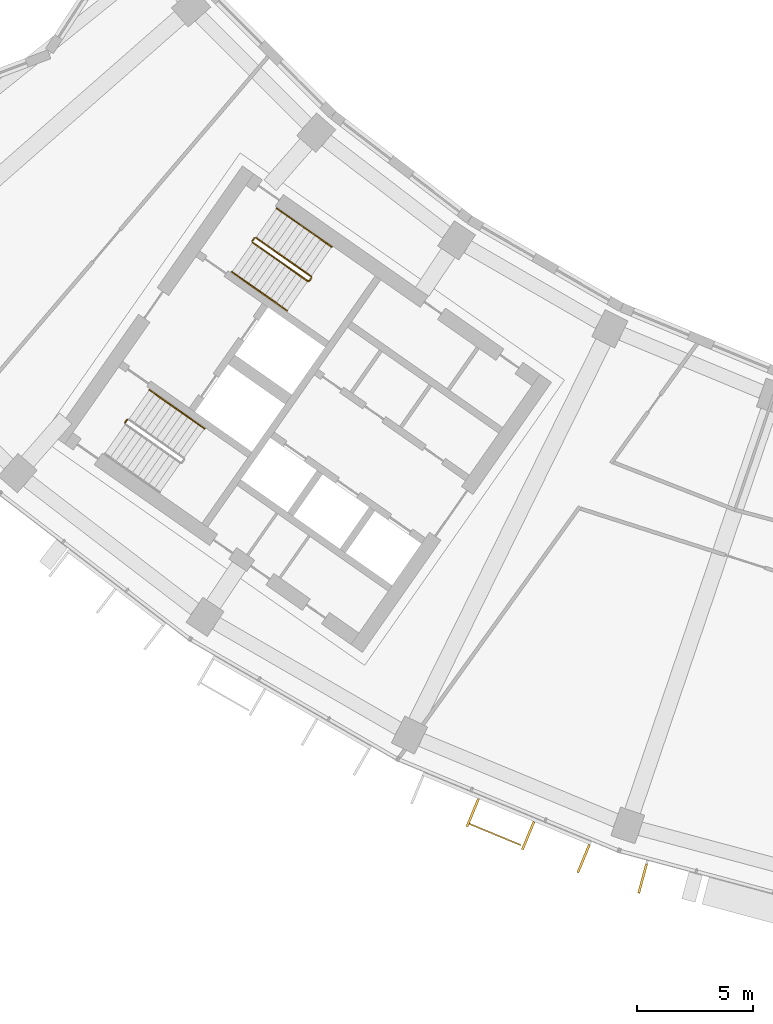
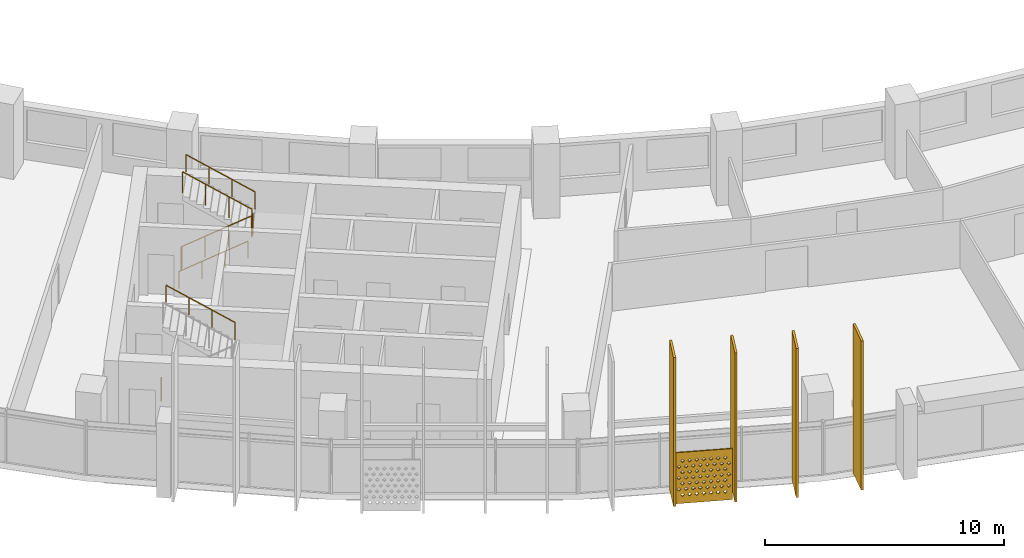
# One storey, part 24 of 27: 7 railings, 5 shading devices.
"""IFC4 building model written with IfcOpenShell, lengths in metres."""

from ifc_helpers import new_model, si_unit, direction, frame, origin, origin_2d, place, context, subcontext, project, spatial, polyline, rectangle, circle, outline, extrude, material, material_profile, profile_set, type_object, element, save


model = new_model("IFC4")

# Units and contexts
model_context = context("Model", 3, precision=1e-05, world=origin(), true_north=direction((0.0, 1.0)))
body_context = subcontext(model_context, "Body", "Model", "MODEL_VIEW")
ifc_project = project(units=[si_unit("LENGTHUNIT", "METRE"), si_unit("AREAUNIT", "SQUARE_METRE"), si_unit("VOLUMEUNIT", "CUBIC_METRE"), si_unit("PLANEANGLEUNIT", "RADIAN"), si_unit("MASSUNIT", "GRAM", prefix="KILO")], contexts=[model_context])

# Site, building, storey
site_placement = place(None, origin())
site = spatial("IfcSite", under=ifc_project, at=site_placement, CompositionType="ELEMENT")
building_placement = place(site_placement, origin())
building = spatial("IfcBuilding", under=site, at=building_placement, Name="Qamariyya Broadcast Tower", CompositionType="ELEMENT")
storey_placement = place(building_placement, frame((0.0, 0.0, 187.300048828125)))
storey = spatial("IfcBuildingStorey", under=building, at=storey_placement, Name="L44", CompositionType="ELEMENT", Elevation=187.300048828125)

# Shading device
ifc_material_1 = material(Name="Perforated glazed terracotta", Category="masonry")
ifc_material_profile_1 = material_profile(ifc_material_1, outline(polyline([(-1.199951171875, -1.300048828125), (1.199951171875, -1.300048828125), (1.199951171875, 1.300048828125), (-1.199951171875, 1.300048828125), (-1.199951171875, -1.300048828125)]), holes=[polyline([(-0.81494140625, -0.86669921875), (-0.89990234375, -0.78173828125), (-0.985107421875, -0.86669921875), (-0.89990234375, -0.95166015625), (-0.81494140625, -0.86669921875)]), polyline([(-0.514892578125, -0.86669921875), (-0.60009765625, -0.78173828125), (-0.68505859375, -0.86669921875), (-0.60009765625, -0.95166015625), (-0.514892578125, -0.86669921875)]), polyline([(-0.215087890625, -0.86669921875), (-0.300048828125, -0.78173828125), (-0.385009765625, -0.86669921875), (-0.300048828125, -0.95166015625), (-0.215087890625, -0.86669921875)]), polyline([(0.0849609375, -0.86669921875), (0.0, -0.78173828125), (-0.0849609375, -0.86669921875), (0.0, -0.95166015625), (0.0849609375, -0.86669921875)]), polyline([(0.385009765625, -0.86669921875), (0.300048828125, -0.78173828125), (0.215087890625, -0.86669921875), (0.300048828125, -0.95166015625), (0.385009765625, -0.86669921875)]), polyline([(0.68505859375, -0.86669921875), (0.60009765625, -0.78173828125), (0.514892578125, -0.86669921875), (0.60009765625, -0.95166015625), (0.68505859375, -0.86669921875)]), polyline([(0.985107421875, -0.86669921875), (0.89990234375, -0.78173828125), (0.81494140625, -0.86669921875), (0.89990234375, -0.95166015625), (0.985107421875, -0.86669921875)]), polyline([(-0.965087890625, -0.577880859375), (-1.050048828125, -0.49267578125), (-1.135009765625, -0.577880859375), (-1.050048828125, -0.662841796875), (-0.965087890625, -0.577880859375)]), polyline([(-0.6650390625, -0.577880859375), (-0.75, -0.49267578125), (-0.8349609375, -0.577880859375), (-0.75, -0.662841796875), (-0.6650390625, -0.577880859375)]), polyline([(-0.364990234375, -0.577880859375), (-0.449951171875, -0.49267578125), (-0.534912109375, -0.577880859375), (-0.449951171875, -0.662841796875), (-0.364990234375, -0.577880859375)]), polyline([(-0.06494140625, -0.577880859375), (-0.14990234375, -0.49267578125), (-0.235107421875, -0.577880859375), (-0.14990234375, -0.662841796875), (-0.06494140625, -0.577880859375)]), polyline([(0.235107421875, -0.577880859375), (0.14990234375, -0.49267578125), (0.06494140625, -0.577880859375), (0.14990234375, -0.662841796875), (0.235107421875, -0.577880859375)]), polyline([(0.534912109375, -0.577880859375), (0.449951171875, -0.49267578125), (0.364990234375, -0.577880859375), (0.449951171875, -0.662841796875), (0.534912109375, -0.577880859375)]), polyline([(0.8349609375, -0.577880859375), (0.75, -0.49267578125), (0.6650390625, -0.577880859375), (0.75, -0.662841796875), (0.8349609375, -0.577880859375)]), polyline([(1.135009765625, -0.577880859375), (1.050048828125, -0.49267578125), (0.965087890625, -0.577880859375), (1.050048828125, -0.662841796875), (1.135009765625, -0.577880859375)]), polyline([(-0.81494140625, -0.288818359375), (-0.89990234375, -0.203857421875), (-0.985107421875, -0.288818359375), (-0.89990234375, -0.373779296875), (-0.81494140625, -0.288818359375)]), polyline([(-0.514892578125, -0.288818359375), (-0.60009765625, -0.203857421875), (-0.68505859375, -0.288818359375), (-0.60009765625, -0.373779296875), (-0.514892578125, -0.288818359375)]), polyline([(-0.215087890625, -0.288818359375), (-0.300048828125, -0.203857421875), (-0.385009765625, -0.288818359375), (-0.300048828125, -0.373779296875), (-0.215087890625, -0.288818359375)]), polyline([(0.0849609375, -0.288818359375), (0.0, -0.203857421875), (-0.0849609375, -0.288818359375), (0.0, -0.373779296875), (0.0849609375, -0.288818359375)]), polyline([(0.385009765625, -0.288818359375), (0.300048828125, -0.203857421875), (0.215087890625, -0.288818359375), (0.300048828125, -0.373779296875), (0.385009765625, -0.288818359375)]), polyline([(0.68505859375, -0.288818359375), (0.60009765625, -0.203857421875), (0.514892578125, -0.288818359375), (0.60009765625, -0.373779296875), (0.68505859375, -0.288818359375)]), polyline([(0.985107421875, -0.288818359375), (0.89990234375, -0.203857421875), (0.81494140625, -0.288818359375), (0.89990234375, -0.373779296875), (0.985107421875, -0.288818359375)]), polyline([(-0.965087890625, 0.0), (-1.050048828125, 0.0849609375), (-1.135009765625, 0.0), (-1.050048828125, -0.0849609375), (-0.965087890625, 0.0)]), polyline([(-0.6650390625, 0.0), (-0.75, 0.0849609375), (-0.8349609375, 0.0), (-0.75, -0.0849609375), (-0.6650390625, 0.0)]), polyline([(-0.364990234375, 0.0), (-0.449951171875, 0.0849609375), (-0.534912109375, 0.0), (-0.449951171875, -0.0849609375), (-0.364990234375, 0.0)]), polyline([(-0.06494140625, 0.0), (-0.14990234375, 0.0849609375), (-0.235107421875, 0.0), (-0.14990234375, -0.0849609375), (-0.06494140625, 0.0)]), polyline([(0.235107421875, 0.0), (0.14990234375, 0.0849609375), (0.06494140625, 0.0), (0.14990234375, -0.0849609375), (0.235107421875, 0.0)]), polyline([(0.534912109375, 0.0), (0.449951171875, 0.0849609375), (0.364990234375, 0.0), (0.449951171875, -0.0849609375), (0.534912109375, 0.0)]), polyline([(0.8349609375, 0.0), (0.75, 0.0849609375), (0.6650390625, 0.0), (0.75, -0.0849609375), (0.8349609375, 0.0)]), polyline([(1.135009765625, 0.0), (1.050048828125, 0.0849609375), (0.965087890625, 0.0), (1.050048828125, -0.0849609375), (1.135009765625, 0.0)]), polyline([(-0.81494140625, 0.288818359375), (-0.89990234375, 0.373779296875), (-0.985107421875, 0.288818359375), (-0.89990234375, 0.203857421875), (-0.81494140625, 0.288818359375)]), polyline([(-0.514892578125, 0.288818359375), (-0.60009765625, 0.373779296875), (-0.68505859375, 0.288818359375), (-0.60009765625, 0.203857421875), (-0.514892578125, 0.288818359375)]), polyline([(-0.215087890625, 0.288818359375), (-0.300048828125, 0.373779296875), (-0.385009765625, 0.288818359375), (-0.300048828125, 0.203857421875), (-0.215087890625, 0.288818359375)]), polyline([(0.0849609375, 0.288818359375), (0.0, 0.373779296875), (-0.0849609375, 0.288818359375), (0.0, 0.203857421875), (0.0849609375, 0.288818359375)]), polyline([(0.385009765625, 0.288818359375), (0.300048828125, 0.373779296875), (0.215087890625, 0.288818359375), (0.300048828125, 0.203857421875), (0.385009765625, 0.288818359375)]), polyline([(0.68505859375, 0.288818359375), (0.60009765625, 0.373779296875), (0.514892578125, 0.288818359375), (0.60009765625, 0.203857421875), (0.68505859375, 0.288818359375)]), polyline([(0.985107421875, 0.288818359375), (0.89990234375, 0.373779296875), (0.81494140625, 0.288818359375), (0.89990234375, 0.203857421875), (0.985107421875, 0.288818359375)]), polyline([(-0.965087890625, 0.577880859375), (-1.050048828125, 0.662841796875), (-1.135009765625, 0.577880859375), (-1.050048828125, 0.49267578125), (-0.965087890625, 0.577880859375)]), polyline([(-0.6650390625, 0.577880859375), (-0.75, 0.662841796875), (-0.8349609375, 0.577880859375), (-0.75, 0.49267578125), (-0.6650390625, 0.577880859375)]), polyline([(-0.364990234375, 0.577880859375), (-0.449951171875, 0.662841796875), (-0.534912109375, 0.577880859375), (-0.449951171875, 0.49267578125), (-0.364990234375, 0.577880859375)]), polyline([(-0.06494140625, 0.577880859375), (-0.14990234375, 0.662841796875), (-0.235107421875, 0.577880859375), (-0.14990234375, 0.49267578125), (-0.06494140625, 0.577880859375)]), polyline([(0.235107421875, 0.577880859375), (0.14990234375, 0.662841796875), (0.06494140625, 0.577880859375), (0.14990234375, 0.49267578125), (0.235107421875, 0.577880859375)]), polyline([(0.534912109375, 0.577880859375), (0.449951171875, 0.662841796875), (0.364990234375, 0.577880859375), (0.449951171875, 0.49267578125), (0.534912109375, 0.577880859375)]), polyline([(0.8349609375, 0.577880859375), (0.75, 0.662841796875), (0.6650390625, 0.577880859375), (0.75, 0.49267578125), (0.8349609375, 0.577880859375)]), polyline([(1.135009765625, 0.577880859375), (1.050048828125, 0.662841796875), (0.965087890625, 0.577880859375), (1.050048828125, 0.49267578125), (1.135009765625, 0.577880859375)]), polyline([(-0.81494140625, 0.86669921875), (-0.89990234375, 0.95166015625), (-0.985107421875, 0.86669921875), (-0.89990234375, 0.78173828125), (-0.81494140625, 0.86669921875)]), polyline([(-0.514892578125, 0.86669921875), (-0.60009765625, 0.95166015625), (-0.68505859375, 0.86669921875), (-0.60009765625, 0.78173828125), (-0.514892578125, 0.86669921875)]), polyline([(-0.215087890625, 0.86669921875), (-0.300048828125, 0.95166015625), (-0.385009765625, 0.86669921875), (-0.300048828125, 0.78173828125), (-0.215087890625, 0.86669921875)]), polyline([(0.0849609375, 0.86669921875), (0.0, 0.95166015625), (-0.0849609375, 0.86669921875), (0.0, 0.78173828125), (0.0849609375, 0.86669921875)]), polyline([(0.385009765625, 0.86669921875), (0.300048828125, 0.95166015625), (0.215087890625, 0.86669921875), (0.300048828125, 0.78173828125), (0.385009765625, 0.86669921875)]), polyline([(0.68505859375, 0.86669921875), (0.60009765625, 0.95166015625), (0.514892578125, 0.86669921875), (0.60009765625, 0.78173828125), (0.68505859375, 0.86669921875)]), polyline([(0.985107421875, 0.86669921875), (0.89990234375, 0.95166015625), (0.81494140625, 0.86669921875), (0.89990234375, 0.78173828125), (0.985107421875, 0.86669921875)])]))
ifc_profile_set_1 = profile_set([ifc_material_profile_1], Name="Perforated glazed terracotta")
shading_device_type_1 = type_object("IfcShadingDeviceType", Name="Perforated terracotta screen 2400 x 2600", PredefinedType="USERDEFINED", material=ifc_profile_set_1)
shading_device_placement = place(storey_placement, frame((-30.69189453125, -73.987548828125, 1.349853515625), z_axis=(-0.382591441855, -0.923917630863, 0.0), x_axis=(0.923917630863, -0.382591441855, 0.0)))
element("IfcShadingDevice", 1, at=shading_device_placement, inside=storey, type_object=shading_device_type_1, Name="e-scr-L44-04-1", ObjectType="SCREEN", PredefinedType="USERDEFINED", context=body_context, shape_type="SweptSolid", body=[
    extrude(outline(polyline([(-1.199951171875, -1.300048828125), (1.199951171875, -1.300048828125), (1.199951171875, 1.300048828125), (-1.199951171875, 1.300048828125), (-1.199951171875, -1.300048828125)]), holes=[polyline([(-0.81494140625, -0.86669921875), (-0.89990234375, -0.78173828125), (-0.985107421875, -0.86669921875), (-0.89990234375, -0.95166015625), (-0.81494140625, -0.86669921875)]), polyline([(-0.514892578125, -0.86669921875), (-0.60009765625, -0.78173828125), (-0.68505859375, -0.86669921875), (-0.60009765625, -0.95166015625), (-0.514892578125, -0.86669921875)]), polyline([(-0.215087890625, -0.86669921875), (-0.300048828125, -0.78173828125), (-0.385009765625, -0.86669921875), (-0.300048828125, -0.95166015625), (-0.215087890625, -0.86669921875)]), polyline([(0.0849609375, -0.86669921875), (0.0, -0.78173828125), (-0.0849609375, -0.86669921875), (0.0, -0.95166015625), (0.0849609375, -0.86669921875)]), polyline([(0.385009765625, -0.86669921875), (0.300048828125, -0.78173828125), (0.215087890625, -0.86669921875), (0.300048828125, -0.95166015625), (0.385009765625, -0.86669921875)]), polyline([(0.68505859375, -0.86669921875), (0.60009765625, -0.78173828125), (0.514892578125, -0.86669921875), (0.60009765625, -0.95166015625), (0.68505859375, -0.86669921875)]), polyline([(0.985107421875, -0.86669921875), (0.89990234375, -0.78173828125), (0.81494140625, -0.86669921875), (0.89990234375, -0.95166015625), (0.985107421875, -0.86669921875)]), polyline([(-0.965087890625, -0.577880859375), (-1.050048828125, -0.49267578125), (-1.135009765625, -0.577880859375), (-1.050048828125, -0.662841796875), (-0.965087890625, -0.577880859375)]), polyline([(-0.6650390625, -0.577880859375), (-0.75, -0.49267578125), (-0.8349609375, -0.577880859375), (-0.75, -0.662841796875), (-0.6650390625, -0.577880859375)]), polyline([(-0.364990234375, -0.577880859375), (-0.449951171875, -0.49267578125), (-0.534912109375, -0.577880859375), (-0.449951171875, -0.662841796875), (-0.364990234375, -0.577880859375)]), polyline([(-0.06494140625, -0.577880859375), (-0.14990234375, -0.49267578125), (-0.235107421875, -0.577880859375), (-0.14990234375, -0.662841796875), (-0.06494140625, -0.577880859375)]), polyline([(0.235107421875, -0.577880859375), (0.14990234375, -0.49267578125), (0.06494140625, -0.577880859375), (0.14990234375, -0.662841796875), (0.235107421875, -0.577880859375)]), polyline([(0.534912109375, -0.577880859375), (0.449951171875, -0.49267578125), (0.364990234375, -0.577880859375), (0.449951171875, -0.662841796875), (0.534912109375, -0.577880859375)]), polyline([(0.8349609375, -0.577880859375), (0.75, -0.49267578125), (0.6650390625, -0.577880859375), (0.75, -0.662841796875), (0.8349609375, -0.577880859375)]), polyline([(1.135009765625, -0.577880859375), (1.050048828125, -0.49267578125), (0.965087890625, -0.577880859375), (1.050048828125, -0.662841796875), (1.135009765625, -0.577880859375)]), polyline([(-0.81494140625, -0.288818359375), (-0.89990234375, -0.203857421875), (-0.985107421875, -0.288818359375), (-0.89990234375, -0.373779296875), (-0.81494140625, -0.288818359375)]), polyline([(-0.514892578125, -0.288818359375), (-0.60009765625, -0.203857421875), (-0.68505859375, -0.288818359375), (-0.60009765625, -0.373779296875), (-0.514892578125, -0.288818359375)]), polyline([(-0.215087890625, -0.288818359375), (-0.300048828125, -0.203857421875), (-0.385009765625, -0.288818359375), (-0.300048828125, -0.373779296875), (-0.215087890625, -0.288818359375)]), polyline([(0.0849609375, -0.288818359375), (0.0, -0.203857421875), (-0.0849609375, -0.288818359375), (0.0, -0.373779296875), (0.0849609375, -0.288818359375)]), polyline([(0.385009765625, -0.288818359375), (0.300048828125, -0.203857421875), (0.215087890625, -0.288818359375), (0.300048828125, -0.373779296875), (0.385009765625, -0.288818359375)]), polyline([(0.68505859375, -0.288818359375), (0.60009765625, -0.203857421875), (0.514892578125, -0.288818359375), (0.60009765625, -0.373779296875), (0.68505859375, -0.288818359375)]), polyline([(0.985107421875, -0.288818359375), (0.89990234375, -0.203857421875), (0.81494140625, -0.288818359375), (0.89990234375, -0.373779296875), (0.985107421875, -0.288818359375)]), polyline([(-0.965087890625, 0.0), (-1.050048828125, 0.0849609375), (-1.135009765625, 0.0), (-1.050048828125, -0.0849609375), (-0.965087890625, 0.0)]), polyline([(-0.6650390625, 0.0), (-0.75, 0.0849609375), (-0.8349609375, 0.0), (-0.75, -0.0849609375), (-0.6650390625, 0.0)]), polyline([(-0.364990234375, 0.0), (-0.449951171875, 0.0849609375), (-0.534912109375, 0.0), (-0.449951171875, -0.0849609375), (-0.364990234375, 0.0)]), polyline([(-0.06494140625, 0.0), (-0.14990234375, 0.0849609375), (-0.235107421875, 0.0), (-0.14990234375, -0.0849609375), (-0.06494140625, 0.0)]), polyline([(0.235107421875, 0.0), (0.14990234375, 0.0849609375), (0.06494140625, 0.0), (0.14990234375, -0.0849609375), (0.235107421875, 0.0)]), polyline([(0.534912109375, 0.0), (0.449951171875, 0.0849609375), (0.364990234375, 0.0), (0.449951171875, -0.0849609375), (0.534912109375, 0.0)]), polyline([(0.8349609375, 0.0), (0.75, 0.0849609375), (0.6650390625, 0.0), (0.75, -0.0849609375), (0.8349609375, 0.0)]), polyline([(1.135009765625, 0.0), (1.050048828125, 0.0849609375), (0.965087890625, 0.0), (1.050048828125, -0.0849609375), (1.135009765625, 0.0)]), polyline([(-0.81494140625, 0.288818359375), (-0.89990234375, 0.373779296875), (-0.985107421875, 0.288818359375), (-0.89990234375, 0.203857421875), (-0.81494140625, 0.288818359375)]), polyline([(-0.514892578125, 0.288818359375), (-0.60009765625, 0.373779296875), (-0.68505859375, 0.288818359375), (-0.60009765625, 0.203857421875), (-0.514892578125, 0.288818359375)]), polyline([(-0.215087890625, 0.288818359375), (-0.300048828125, 0.373779296875), (-0.385009765625, 0.288818359375), (-0.300048828125, 0.203857421875), (-0.215087890625, 0.288818359375)]), polyline([(0.0849609375, 0.288818359375), (0.0, 0.373779296875), (-0.0849609375, 0.288818359375), (0.0, 0.203857421875), (0.0849609375, 0.288818359375)]), polyline([(0.385009765625, 0.288818359375), (0.300048828125, 0.373779296875), (0.215087890625, 0.288818359375), (0.300048828125, 0.203857421875), (0.385009765625, 0.288818359375)]), polyline([(0.68505859375, 0.288818359375), (0.60009765625, 0.373779296875), (0.514892578125, 0.288818359375), (0.60009765625, 0.203857421875), (0.68505859375, 0.288818359375)]), polyline([(0.985107421875, 0.288818359375), (0.89990234375, 0.373779296875), (0.81494140625, 0.288818359375), (0.89990234375, 0.203857421875), (0.985107421875, 0.288818359375)]), polyline([(-0.965087890625, 0.577880859375), (-1.050048828125, 0.662841796875), (-1.135009765625, 0.577880859375), (-1.050048828125, 0.49267578125), (-0.965087890625, 0.577880859375)]), polyline([(-0.6650390625, 0.577880859375), (-0.75, 0.662841796875), (-0.8349609375, 0.577880859375), (-0.75, 0.49267578125), (-0.6650390625, 0.577880859375)]), polyline([(-0.364990234375, 0.577880859375), (-0.449951171875, 0.662841796875), (-0.534912109375, 0.577880859375), (-0.449951171875, 0.49267578125), (-0.364990234375, 0.577880859375)]), polyline([(-0.06494140625, 0.577880859375), (-0.14990234375, 0.662841796875), (-0.235107421875, 0.577880859375), (-0.14990234375, 0.49267578125), (-0.06494140625, 0.577880859375)]), polyline([(0.235107421875, 0.577880859375), (0.14990234375, 0.662841796875), (0.06494140625, 0.577880859375), (0.14990234375, 0.49267578125), (0.235107421875, 0.577880859375)]), polyline([(0.534912109375, 0.577880859375), (0.449951171875, 0.662841796875), (0.364990234375, 0.577880859375), (0.449951171875, 0.49267578125), (0.534912109375, 0.577880859375)]), polyline([(0.8349609375, 0.577880859375), (0.75, 0.662841796875), (0.6650390625, 0.577880859375), (0.75, 0.49267578125), (0.8349609375, 0.577880859375)]), polyline([(1.135009765625, 0.577880859375), (1.050048828125, 0.662841796875), (0.965087890625, 0.577880859375), (1.050048828125, 0.49267578125), (1.135009765625, 0.577880859375)]), polyline([(-0.81494140625, 0.86669921875), (-0.89990234375, 0.95166015625), (-0.985107421875, 0.86669921875), (-0.89990234375, 0.78173828125), (-0.81494140625, 0.86669921875)]), polyline([(-0.514892578125, 0.86669921875), (-0.60009765625, 0.95166015625), (-0.68505859375, 0.86669921875), (-0.60009765625, 0.78173828125), (-0.514892578125, 0.86669921875)]), polyline([(-0.215087890625, 0.86669921875), (-0.300048828125, 0.95166015625), (-0.385009765625, 0.86669921875), (-0.300048828125, 0.78173828125), (-0.215087890625, 0.86669921875)]), polyline([(0.0849609375, 0.86669921875), (0.0, 0.95166015625), (-0.0849609375, 0.86669921875), (0.0, 0.78173828125), (0.0849609375, 0.86669921875)]), polyline([(0.385009765625, 0.86669921875), (0.300048828125, 0.95166015625), (0.215087890625, 0.86669921875), (0.300048828125, 0.78173828125), (0.385009765625, 0.86669921875)]), polyline([(0.68505859375, 0.86669921875), (0.60009765625, 0.95166015625), (0.514892578125, 0.86669921875), (0.60009765625, 0.78173828125), (0.68505859375, 0.86669921875)]), polyline([(0.985107421875, 0.86669921875), (0.89990234375, 0.95166015625), (0.81494140625, 0.86669921875), (0.89990234375, 0.78173828125), (0.985107421875, 0.86669921875)])]), origin(), (0.0, 0.0, 1.0), 0.06005859375),
])

# Railings
ifc_material_2 = material(Name="Painted steel", Category="steel")
railing_type_1 = type_object("IfcRailingType", Name="Stair guard", PredefinedType="GUARDRAIL", material=ifc_material_2)
railing_1_placement = place(storey_placement, frame((-41.146728515625, -48.52490234375, 0.172607421875)))
element("IfcRailing", 2, at=railing_1_placement, inside=storey, type_object=railing_type_1, Name="L44 ST-W2 stair guard 1", PredefinedType="GUARDRAIL", context=body_context, shape_type="SweptSolid", body=[
    extrude(circle(Radius=0.02392578125, at=origin_2d()), frame((0.0, 0.0, 1.076171875), z_axis=(0.703770094002, -0.492783725636, 0.511734163933), x_axis=(0.573575343427, 0.819152809562, 0.0)), (0.0, 0.0, 1.0), 3.37548828125),
    extrude(circle(Radius=0.02392578125, at=origin_2d()), frame((2.37548828125, -1.663330078125, 2.80322265625), z_axis=(0.985059694769, 0.172213233351, 0.0), x_axis=(-0.172213233351, 0.985059694769, 0.0)), (0.0, 0.0, 1.0), 0.07080078125),
    extrude(circle(Radius=0.02392578125, at=origin_2d()), frame((2.4453125, -1.651123046875, 2.80322265625), z_axis=(0.572588637393, 0.819842821722, 0.0), x_axis=(-0.819842821722, 0.572588637393, 0.0)), (0.0, 0.0, 1.0), 0.150146484375),
    extrude(circle(Radius=0.02099609375, at=origin_2d()), origin(), (0.0, 0.0, 1.0), 1.052001953125),
    extrude(circle(Radius=0.02099609375, at=origin_2d()), frame((0.791748046875, -0.554443359375, 0.57568359375)), (0.0, 0.0, 1.0), 1.052001953125),
    extrude(circle(Radius=0.02099609375, at=origin_2d()), frame((1.583740234375, -1.10888671875, 1.151611328125)), (0.0, 0.0, 1.0), 1.052001953125),
    extrude(circle(Radius=0.02099609375, at=origin_2d()), frame((2.37548828125, -1.663330078125, 1.727294921875)), (0.0, 0.0, 1.0), 1.052001953125),
    extrude(circle(Radius=0.02099609375, at=origin_2d()), frame((2.4453125, -1.651123046875, 1.727294921875)), (0.0, 0.0, 1.0), 1.052001953125),
    extrude(circle(Radius=0.02099609375, at=origin_2d()), frame((2.53125, -1.528076171875, 1.727294921875)), (0.0, 0.0, 1.0), 1.052001953125),
])
railing_2_placement = place(storey_placement, frame((-38.627685546875, -49.9833984375, 2.07275390625)))
element("IfcRailing", 3, at=railing_2_placement, inside=storey, type_object=railing_type_1, Name="L44 ST-W2 stair guard 2", PredefinedType="GUARDRAIL", context=body_context, shape_type="SweptSolid", body=[
    extrude(circle(Radius=0.02392578125, at=origin_2d()), frame((0.0, 0.0, 1.076171875), z_axis=(-0.703770094002, 0.492783725636, 0.511734163933), x_axis=(-0.573575343427, -0.819152809562, 0.0)), (0.0, 0.0, 1.0), 3.37548828125),
    extrude(circle(Radius=0.02099609375, at=origin_2d()), origin(), (0.0, 0.0, 1.0), 1.052001953125),
    extrude(circle(Radius=0.02099609375, at=origin_2d()), frame((-0.791748046875, 0.554443359375, 0.57568359375)), (0.0, 0.0, 1.0), 1.052001953125),
    extrude(circle(Radius=0.02099609375, at=origin_2d()), frame((-1.583740234375, 1.10888671875, 1.151611328125)), (0.0, 0.0, 1.0), 1.052001953125),
    extrude(circle(Radius=0.02099609375, at=origin_2d()), frame((-2.37548828125, 1.663330078125, 1.727294921875)), (0.0, 0.0, 1.0), 1.052001953125),
])
railing_3_placement = place(storey_placement, frame((-41.158935546875, -48.455322265625, 0.0)))
element("IfcRailing", 4, at=railing_3_placement, inside=storey, type_object=railing_type_1, Name="L44 ST-W2 stair guard 3", PredefinedType="GUARDRAIL", context=body_context, shape_type="SweptSolid", body=[
    extrude(circle(Radius=0.02392578125, at=origin_2d()), frame((0.0, 0.0, 1.076171875), z_axis=(0.572588637393, 0.819842821722, 0.0), x_axis=(-0.819842821722, 0.572588637393, 0.0)), (0.0, 0.0, 1.0), 0.150146484375),
    extrude(circle(Radius=0.02099609375, at=origin_2d()), origin(), (0.0, 0.0, 1.0), 1.052001953125),
    extrude(circle(Radius=0.02099609375, at=origin_2d()), frame((0.0859375, 0.123046875, 0.0)), (0.0, 0.0, 1.0), 1.052001953125),
])
railing_4_placement = place(storey_placement, frame((-46.63671875, -56.278076171875, 0.0)))
element("IfcRailing", 5, at=railing_4_placement, inside=storey, type_object=railing_type_1, Name="L44 ST-W1 stair guard 3", PredefinedType="GUARDRAIL", context=body_context, shape_type="SweptSolid", body=[
    extrude(circle(Radius=0.02392578125, at=origin_2d()), frame((0.0, 0.0, 1.076171875), z_axis=(0.574444878118, 0.818543268254, 0.0), x_axis=(-0.818543268254, 0.574444878118, 0.0)), (0.0, 0.0, 1.0), 0.150146484375),
    extrude(circle(Radius=0.02099609375, at=origin_2d()), origin(), (0.0, 0.0, 1.0), 1.052001953125),
    extrude(circle(Radius=0.02099609375, at=origin_2d()), frame((0.086181640625, 0.122802734375, 0.0)), (0.0, 0.0, 1.0), 1.052001953125),
])
ifc_material_3 = material(Name="Stainless steel", Category="steel")
railing_type_2 = type_object("IfcRailingType", Name="Stair handrail", PredefinedType="HANDRAIL", material=ifc_material_3)
railing_5_placement = place(storey_placement, frame((-42.03564453125, -49.79443359375, 0.172607421875)))
element("IfcRailing", 6, at=railing_5_placement, inside=storey, type_object=railing_type_2, Name="L44 ST-W2 stair handrail 1", PredefinedType="HANDRAIL", context=body_context, shape_type="SweptSolid", body=[
    extrude(circle(Radius=0.02392578125, at=origin_2d()), frame((0.0, 0.0, 0.8759765625), z_axis=(0.703745009021, -0.492838488332, 0.511715923826), x_axis=(0.573631830683, 0.819113253969, 0.0)), (0.0, 0.0, 1.0), 3.37548828125),
    extrude(circle(Radius=0.02099609375, at=origin_2d()), origin(), (0.0, 0.0, 1.0), 0.851806640625),
    extrude(circle(Radius=0.02099609375, at=origin_2d()), frame((0.791748046875, -0.554443359375, 0.57568359375)), (0.0, 0.0, 1.0), 0.851806640625),
    extrude(circle(Radius=0.02099609375, at=origin_2d()), frame((1.583740234375, -1.109130859375, 1.151611328125)), (0.0, 0.0, 1.0), 0.851806640625),
    extrude(circle(Radius=0.02099609375, at=origin_2d()), frame((2.37548828125, -1.66357421875, 1.727294921875)), (0.0, 0.0, 1.0), 0.851806640625),
])
railing_6_placement = place(storey_placement, frame((-37.73876953125, -48.7138671875, 2.07275390625)))
element("IfcRailing", 7, at=railing_6_placement, inside=storey, type_object=railing_type_2, Name="L44 ST-W2 stair handrail 2", PredefinedType="HANDRAIL", context=body_context, shape_type="SweptSolid", body=[
    extrude(circle(Radius=0.02392578125, at=origin_2d()), frame((0.0, 0.0, 0.8759765625), z_axis=(-0.703745009021, 0.492838488332, 0.511715923826), x_axis=(-0.573631830683, -0.819113253969, 0.0)), (0.0, 0.0, 1.0), 3.37548828125),
    extrude(circle(Radius=0.02099609375, at=origin_2d()), origin(), (0.0, 0.0, 1.0), 0.851806640625),
    extrude(circle(Radius=0.02099609375, at=origin_2d()), frame((-0.791748046875, 0.554443359375, 0.57568359375)), (0.0, 0.0, 1.0), 0.851806640625),
    extrude(circle(Radius=0.02099609375, at=origin_2d()), frame((-1.583740234375, 1.109130859375, 1.151611328125)), (0.0, 0.0, 1.0), 0.851806640625),
    extrude(circle(Radius=0.02099609375, at=origin_2d()), frame((-2.37548828125, 1.66357421875, 1.727294921875)), (0.0, 0.0, 1.0), 0.851806640625),
])
railing_7_placement = place(storey_placement, frame((-43.21630859375, -56.53662109375, 2.07275390625)))
element("IfcRailing", 8, at=railing_7_placement, inside=storey, type_object=railing_type_2, Name="L44 ST-W1 stair handrail 2", PredefinedType="HANDRAIL", context=body_context, shape_type="SweptSolid", body=[
    extrude(circle(Radius=0.02392578125, at=origin_2d()), frame((0.0, 0.0, 0.8759765625), z_axis=(-0.703770094002, 0.492783725636, 0.511734163933), x_axis=(-0.573575343427, -0.819152809562, 0.0)), (0.0, 0.0, 1.0), 3.37548828125),
    extrude(circle(Radius=0.02099609375, at=origin_2d()), origin(), (0.0, 0.0, 1.0), 0.851806640625),
    extrude(circle(Radius=0.02099609375, at=origin_2d()), frame((-0.791748046875, 0.554443359375, 0.57568359375)), (0.0, 0.0, 1.0), 0.851806640625),
    extrude(circle(Radius=0.02099609375, at=origin_2d()), frame((-1.583740234375, 1.10888671875, 1.151611328125)), (0.0, 0.0, 1.0), 0.851806640625),
    extrude(circle(Radius=0.02099609375, at=origin_2d()), frame((-2.37548828125, 1.663330078125, 1.727294921875)), (0.0, 0.0, 1.0), 0.851806640625),
])

# Shading devices
ifc_material_4 = material(Name="Glazed terracotta", Category="masonry")
ifc_material_profile_2 = material_profile(ifc_material_4, rectangle(XDim=1.300048828125, YDim=0.10009765625, at=origin_2d()))
ifc_profile_set_2 = profile_set([ifc_material_profile_2], Name="Glazed terracotta")
shading_device_type_2 = type_object("IfcShadingDeviceType", Name="Terracotta fin 100 x 1300", PredefinedType="USERDEFINED", material=ifc_profile_set_2)
for number, where, z_axis, x_axis, name in (
    (9, (-31.666748046875, -73.074951171875, 0.0), (0.0, 0.0, 1.0), (-0.382683432365, -0.923879532511, 0.0), "e-fin-L44-04-1"),
    (10, (-29.280029296875, -74.063720703125, 0.0), (0.0, 0.0, 1.0), (-0.382683432365, -0.923879532511, 0.0), "e-fin-L44-04-2"),
    (11, (-26.893310546875, -75.05224609375, 0.0), (0.0, 0.0, 1.0), (-0.382683432365, -0.923879532511, 0.0), "e-fin-L44-04-3"),
    (12, (-24.35302734375, -75.91455078125, 0.0), (0.0, 0.0, 1.0), (-0.258819045103, -0.965925826289, 0.0), "e-fin-L44-05-0"),
):
    element("IfcShadingDevice", number, at=place(storey_placement, frame(where, z_axis=z_axis, x_axis=x_axis)), inside=storey, type_object=shading_device_type_2, Name=name, ObjectType="FIN", PredefinedType="USERDEFINED", context=body_context, shape_type="SweptSolid", body=[
        extrude(rectangle(XDim=1.300048828125, YDim=0.10009765625, at=origin_2d()), origin(), (0.0, 0.0, 1.0), 7.599853515625),
    ])

save(model, "model.ifc")
